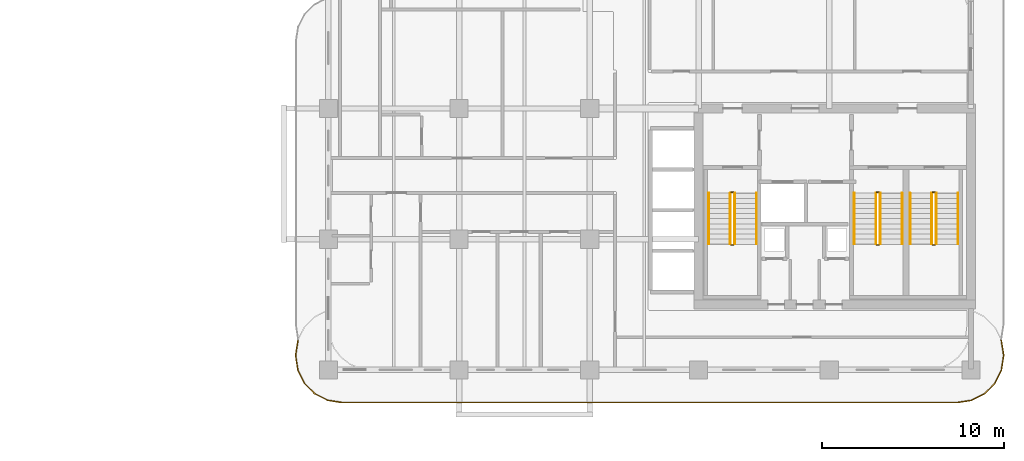
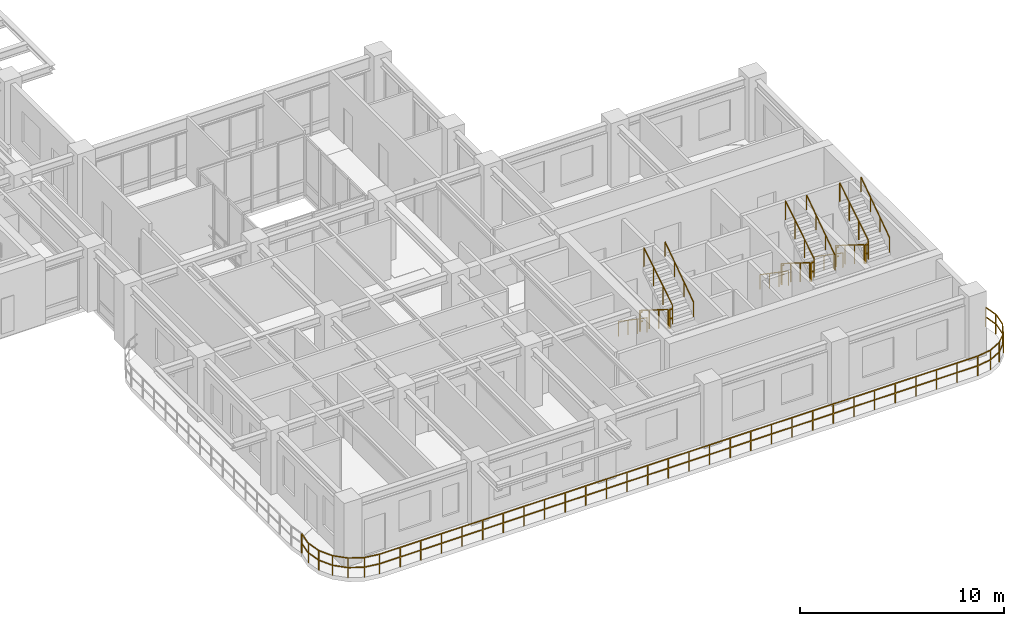
# One storey, part 18 of 20: 19 railings.
"""IFC4 building model written with IfcOpenShell, lengths in metres."""

from ifc_helpers import new_model, si_unit, derived_unit, direction, frame, origin, origin_2d, place, context, subcontext, project, spatial, rectangle, extrude, material, type_object, element, save


model = new_model("IFC4")

# Units and contexts
model_context = context("Model", 3, precision=1e-05, world=origin(), true_north=direction((0.0, 1.0)))
body_context = subcontext(model_context, "Body", "Model", "MODEL_VIEW")
ifc_project = project(units=[si_unit("LENGTHUNIT", "METRE"), si_unit("AREAUNIT", "SQUARE_METRE"), si_unit("VOLUMEUNIT", "CUBIC_METRE"), si_unit("PLANEANGLEUNIT", "RADIAN"), si_unit("MASSUNIT", "GRAM", prefix="KILO"), si_unit("THERMODYNAMICTEMPERATUREUNIT", "KELVIN"), si_unit("POWERUNIT", "WATT"), derived_unit("THERMALTRANSMITTANCEUNIT", [(si_unit("POWERUNIT", "WATT"), 1), (si_unit("AREAUNIT", "SQUARE_METRE"), -1), (si_unit("THERMODYNAMICTEMPERATUREUNIT", "KELVIN"), -1)])], contexts=[model_context])

# Site, building, storey
site_placement = place(None, origin())
site = spatial("IfcSite", under=ifc_project, at=site_placement, CompositionType="ELEMENT")
building_placement = place(site_placement, origin())
building = spatial("IfcBuilding", under=site, at=building_placement, Name="Zahravan Archway Hotel and Residences", CompositionType="ELEMENT")
storey_placement = place(building_placement, frame((0.0, 0.0, 173.39990234375)))
storey = spatial("IfcBuildingStorey", under=building, at=storey_placement, Name="L43", CompositionType="ELEMENT", Elevation=173.39990234375)

# Railings
ifc_material_1 = material(Name="Bronze & Laminated Glass Balustrade", Category="glass")
railing_type_1 = type_object("IfcRailingType", Name="RL-BAL-1200", PredefinedType="BALUSTRADE", material=ifc_material_1)
railing_1_placement = place(storey_placement, frame((51.47509765625, 1.637939453125, 0.0)))
element("IfcRailing", 1, at=railing_1_placement, inside=storey, type_object=railing_type_1, Name="L43 Balustrade RL-SLB-BAL-L43-SA-1", PredefinedType="BALUSTRADE", context=body_context, shape_type="SweptSolid", body=[
    extrude(rectangle(XDim=0.048095703125, YDim=0.048095703125, at=origin_2d()), frame((0.0, 0.0, 1.17578125), z_axis=(0.156701202656, -0.987646056584, 0.0), x_axis=(0.987646056584, 0.156701202656, 0.0)), (0.0, 0.0, 1.0), 0.797607421875),
    extrude(rectangle(XDim=0.048095703125, YDim=0.048095703125, at=origin_2d()), frame((0.0, 0.0, 0.60009765625), z_axis=(0.156701202656, -0.987646056584, 0.0), x_axis=(0.987646056584, 0.156701202656, 0.0)), (0.0, 0.0, 1.0), 0.797607421875),
    extrude(rectangle(XDim=0.048095703125, YDim=0.048095703125, at=origin_2d()), frame((0.125, -0.787841796875, 1.17578125), z_axis=(0.0, -1.0, 0.0), x_axis=(1.0, 0.0, 0.0)), (0.0, 0.0, 1.0), 0.10009765625),
    extrude(rectangle(XDim=0.048095703125, YDim=0.048095703125, at=origin_2d()), frame((0.125, -0.787841796875, 0.60009765625), z_axis=(0.0, -1.0, 0.0), x_axis=(1.0, 0.0, 0.0)), (0.0, 0.0, 1.0), 0.10009765625),
    extrude(rectangle(XDim=0.048095703125, YDim=0.048095703125, at=origin_2d()), frame((0.125, -0.887939453125, 1.17578125), z_axis=(-0.156653849773, -0.98765356849, 0.0), x_axis=(0.98765356849, -0.156653849773, 0.0)), (0.0, 0.0, 1.0), 0.7978515625),
    extrude(rectangle(XDim=0.048095703125, YDim=0.048095703125, at=origin_2d()), frame((0.125, -0.887939453125, 0.60009765625), z_axis=(-0.156653849773, -0.98765356849, 0.0), x_axis=(0.98765356849, -0.156653849773, 0.0)), (0.0, 0.0, 1.0), 0.7978515625),
    extrude(rectangle(XDim=0.048095703125, YDim=0.048095703125, at=origin_2d()), frame((0.0, -1.676025390625, 1.17578125), z_axis=(-0.453934952053, -0.891034824967, 0.0), x_axis=(0.891034824967, -0.453934952053, 0.0)), (0.0, 0.0, 1.0), 0.797607421875),
    extrude(rectangle(XDim=0.048095703125, YDim=0.048095703125, at=origin_2d()), frame((0.0, -1.676025390625, 0.60009765625), z_axis=(-0.453934952053, -0.891034824967, 0.0), x_axis=(0.891034824967, -0.453934952053, 0.0)), (0.0, 0.0, 1.0), 0.797607421875),
    extrude(rectangle(XDim=0.048095703125, YDim=0.048095703125, at=origin_2d()), frame((-0.362060546875, -2.38671875, 1.17578125), z_axis=(-0.707106781187, -0.707106781187, 0.0), x_axis=(0.707106781187, -0.707106781187, 0.0)), (0.0, 0.0, 1.0), 0.7978515625),
    extrude(rectangle(XDim=0.048095703125, YDim=0.048095703125, at=origin_2d()), frame((-0.362060546875, -2.38671875, 0.60009765625), z_axis=(-0.707106781187, -0.707106781187, 0.0), x_axis=(0.707106781187, -0.707106781187, 0.0)), (0.0, 0.0, 1.0), 0.7978515625),
    extrude(rectangle(XDim=0.048095703125, YDim=0.048095703125, at=origin_2d()), frame((-0.92626953125, -2.950927734375, 1.17578125), z_axis=(-0.890974108706, -0.454054113091, 0.0), x_axis=(0.454054113091, -0.890974108706, 0.0)), (0.0, 0.0, 1.0), 0.7978515625),
    extrude(rectangle(XDim=0.048095703125, YDim=0.048095703125, at=origin_2d()), frame((-0.92626953125, -2.950927734375, 0.60009765625), z_axis=(-0.890974108706, -0.454054113091, 0.0), x_axis=(0.454054113091, -0.890974108706, 0.0)), (0.0, 0.0, 1.0), 0.7978515625),
    extrude(rectangle(XDim=0.048095703125, YDim=0.048095703125, at=origin_2d()), frame((-1.63720703125, -3.313232421875, 1.17578125), z_axis=(-0.987693380745, -0.156402639467, 0.0), x_axis=(0.156402639467, -0.987693380745, 0.0)), (0.0, 0.0, 1.0), 0.797607421875),
    extrude(rectangle(XDim=0.048095703125, YDim=0.048095703125, at=origin_2d()), frame((-1.63720703125, -3.313232421875, 0.60009765625), z_axis=(-0.987693380745, -0.156402639467, 0.0), x_axis=(0.156402639467, -0.987693380745, 0.0)), (0.0, 0.0, 1.0), 0.797607421875),
    extrude(rectangle(XDim=0.048095703125, YDim=0.048095703125, at=origin_2d()), frame((-2.425048828125, -3.43798828125, 1.17578125), z_axis=(-1.0, 0.0, 0.0), x_axis=(0.0, -1.0, 0.0)), (0.0, 0.0, 1.0), 33.900146484375),
    extrude(rectangle(XDim=0.048095703125, YDim=0.048095703125, at=origin_2d()), frame((-2.425048828125, -3.43798828125, 0.60009765625), z_axis=(-1.0, 0.0, 0.0), x_axis=(0.0, -1.0, 0.0)), (0.0, 0.0, 1.0), 33.900146484375),
    extrude(rectangle(XDim=0.048095703125, YDim=0.048095703125, at=origin_2d()), frame((-36.3251953125, -3.43798828125, 1.17578125), z_axis=(-0.987693380745, 0.156402639467, 0.0), x_axis=(-0.156402639467, -0.987693380745, 0.0)), (0.0, 0.0, 1.0), 0.797607421875),
    extrude(rectangle(XDim=0.048095703125, YDim=0.048095703125, at=origin_2d()), frame((-36.3251953125, -3.43798828125, 0.60009765625), z_axis=(-0.987693380745, 0.156402639467, 0.0), x_axis=(-0.156402639467, -0.987693380745, 0.0)), (0.0, 0.0, 1.0), 0.797607421875),
    extrude(rectangle(XDim=0.048095703125, YDim=0.048095703125, at=origin_2d()), frame((-37.113037109375, -3.313232421875, 1.17578125), z_axis=(-0.890974108706, 0.454054113091, 0.0), x_axis=(-0.454054113091, -0.890974108706, 0.0)), (0.0, 0.0, 1.0), 0.7978515625),
    extrude(rectangle(XDim=0.048095703125, YDim=0.048095703125, at=origin_2d()), frame((-37.113037109375, -3.313232421875, 0.60009765625), z_axis=(-0.890974108706, 0.454054113091, 0.0), x_axis=(-0.454054113091, -0.890974108706, 0.0)), (0.0, 0.0, 1.0), 0.7978515625),
    extrude(rectangle(XDim=0.048095703125, YDim=0.048095703125, at=origin_2d()), frame((-37.823974609375, -2.950927734375, 1.17578125), z_axis=(-0.707106781187, 0.707106781187, 0.0), x_axis=(-0.707106781187, -0.707106781187, 0.0)), (0.0, 0.0, 1.0), 0.7978515625),
    extrude(rectangle(XDim=0.048095703125, YDim=0.048095703125, at=origin_2d()), frame((-37.823974609375, -2.950927734375, 0.60009765625), z_axis=(-0.707106781187, 0.707106781187, 0.0), x_axis=(-0.707106781187, -0.707106781187, 0.0)), (0.0, 0.0, 1.0), 0.7978515625),
    extrude(rectangle(XDim=0.048095703125, YDim=0.048095703125, at=origin_2d()), frame((-38.38818359375, -2.38671875, 1.17578125), z_axis=(-0.453934952053, 0.891034824967, 0.0), x_axis=(-0.891034824967, -0.453934952053, 0.0)), (0.0, 0.0, 1.0), 0.797607421875),
    extrude(rectangle(XDim=0.048095703125, YDim=0.048095703125, at=origin_2d()), frame((-38.38818359375, -2.38671875, 0.60009765625), z_axis=(-0.453934952053, 0.891034824967, 0.0), x_axis=(-0.891034824967, -0.453934952053, 0.0)), (0.0, 0.0, 1.0), 0.797607421875),
    extrude(rectangle(XDim=0.048095703125, YDim=0.048095703125, at=origin_2d()), frame((-38.750244140625, -1.676025390625, 1.17578125), z_axis=(-0.156355372278, 0.987700864412, 0.0), x_axis=(-0.987700864412, -0.156355372278, 0.0)), (0.0, 0.0, 1.0), 0.7978515625),
    extrude(rectangle(XDim=0.048095703125, YDim=0.048095703125, at=origin_2d()), frame((-38.750244140625, -1.676025390625, 0.60009765625), z_axis=(-0.156355372278, 0.987700864412, 0.0), x_axis=(-0.987700864412, -0.156355372278, 0.0)), (0.0, 0.0, 1.0), 0.7978515625),
    extrude(rectangle(XDim=0.048095703125, YDim=0.048095703125, at=origin_2d()), frame((-38.875, -0.887939453125, 1.17578125), z_axis=(0.0, 1.0, 0.0), x_axis=(-1.0, 0.0, 0.0)), (0.0, 0.0, 1.0), 0.10009765625),
    extrude(rectangle(XDim=0.048095703125, YDim=0.048095703125, at=origin_2d()), frame((-38.875, -0.887939453125, 0.60009765625), z_axis=(0.0, 1.0, 0.0), x_axis=(-1.0, 0.0, 0.0)), (0.0, 0.0, 1.0), 0.10009765625),
    extrude(rectangle(XDim=0.048095703125, YDim=0.048095703125, at=origin_2d()), frame((-38.875, -0.787841796875, 1.17578125), z_axis=(0.156402639467, 0.987693380745, 0.0), x_axis=(-0.987693380745, 0.156402639467, 0.0)), (0.0, 0.0, 1.0), 0.797607421875),
    extrude(rectangle(XDim=0.048095703125, YDim=0.048095703125, at=origin_2d()), frame((-38.875, -0.787841796875, 0.60009765625), z_axis=(0.156402639467, 0.987693380745, 0.0), x_axis=(-0.987693380745, 0.156402639467, 0.0)), (0.0, 0.0, 1.0), 0.797607421875),
    extrude(rectangle(XDim=0.0419921875, YDim=0.0419921875, at=origin_2d()), origin(), (0.0, 0.0, 1.0), 1.15185546875),
    extrude(rectangle(XDim=0.0419921875, YDim=0.0419921875, at=origin_2d()), frame((0.125, -0.787841796875, 0.0)), (0.0, 0.0, 1.0), 1.15185546875),
    extrude(rectangle(XDim=0.0419921875, YDim=0.0419921875, at=origin_2d()), frame((0.0, -1.676025390625, 0.0)), (0.0, 0.0, 1.0), 1.15185546875),
    extrude(rectangle(XDim=0.0419921875, YDim=0.0419921875, at=origin_2d()), frame((-0.362060546875, -2.38671875, 0.0)), (0.0, 0.0, 1.0), 1.15185546875),
    extrude(rectangle(XDim=0.0419921875, YDim=0.0419921875, at=origin_2d()), frame((-0.92626953125, -2.950927734375, 0.0)), (0.0, 0.0, 1.0), 1.15185546875),
    extrude(rectangle(XDim=0.0419921875, YDim=0.0419921875, at=origin_2d()), frame((-1.63720703125, -3.313232421875, 0.0)), (0.0, 0.0, 1.0), 1.15185546875),
    extrude(rectangle(XDim=0.0419921875, YDim=0.0419921875, at=origin_2d()), frame((-2.425048828125, -3.43798828125, 0.0)), (0.0, 0.0, 1.0), 1.15185546875),
    extrude(rectangle(XDim=0.0419921875, YDim=0.0419921875, at=origin_2d()), frame((-3.593994140625, -3.43798828125, 0.0)), (0.0, 0.0, 1.0), 1.15185546875),
    extrude(rectangle(XDim=0.0419921875, YDim=0.0419921875, at=origin_2d()), frame((-4.762939453125, -3.43798828125, 0.0)), (0.0, 0.0, 1.0), 1.15185546875),
    extrude(rectangle(XDim=0.0419921875, YDim=0.0419921875, at=origin_2d()), frame((-5.931884765625, -3.43798828125, 0.0)), (0.0, 0.0, 1.0), 1.15185546875),
    extrude(rectangle(XDim=0.0419921875, YDim=0.0419921875, at=origin_2d()), frame((-7.100830078125, -3.43798828125, 0.0)), (0.0, 0.0, 1.0), 1.15185546875),
    extrude(rectangle(XDim=0.0419921875, YDim=0.0419921875, at=origin_2d()), frame((-8.27001953125, -3.43798828125, 0.0)), (0.0, 0.0, 1.0), 1.15185546875),
    extrude(rectangle(XDim=0.0419921875, YDim=0.0419921875, at=origin_2d()), frame((-9.43896484375, -3.43798828125, 0.0)), (0.0, 0.0, 1.0), 1.15185546875),
    extrude(rectangle(XDim=0.0419921875, YDim=0.0419921875, at=origin_2d()), frame((-10.60791015625, -3.43798828125, 0.0)), (0.0, 0.0, 1.0), 1.15185546875),
    extrude(rectangle(XDim=0.0419921875, YDim=0.0419921875, at=origin_2d()), frame((-11.77685546875, -3.43798828125, 0.0)), (0.0, 0.0, 1.0), 1.15185546875),
    extrude(rectangle(XDim=0.0419921875, YDim=0.0419921875, at=origin_2d()), frame((-12.94580078125, -3.43798828125, 0.0)), (0.0, 0.0, 1.0), 1.15185546875),
    extrude(rectangle(XDim=0.0419921875, YDim=0.0419921875, at=origin_2d()), frame((-14.11474609375, -3.43798828125, 0.0)), (0.0, 0.0, 1.0), 1.15185546875),
    extrude(rectangle(XDim=0.0419921875, YDim=0.0419921875, at=origin_2d()), frame((-15.28369140625, -3.43798828125, 0.0)), (0.0, 0.0, 1.0), 1.15185546875),
    extrude(rectangle(XDim=0.0419921875, YDim=0.0419921875, at=origin_2d()), frame((-16.45263671875, -3.43798828125, 0.0)), (0.0, 0.0, 1.0), 1.15185546875),
    extrude(rectangle(XDim=0.0419921875, YDim=0.0419921875, at=origin_2d()), frame((-17.62158203125, -3.43798828125, 0.0)), (0.0, 0.0, 1.0), 1.15185546875),
    extrude(rectangle(XDim=0.0419921875, YDim=0.0419921875, at=origin_2d()), frame((-18.79052734375, -3.43798828125, 0.0)), (0.0, 0.0, 1.0), 1.15185546875),
    extrude(rectangle(XDim=0.0419921875, YDim=0.0419921875, at=origin_2d()), frame((-19.959716796875, -3.43798828125, 0.0)), (0.0, 0.0, 1.0), 1.15185546875),
    extrude(rectangle(XDim=0.0419921875, YDim=0.0419921875, at=origin_2d()), frame((-21.128662109375, -3.43798828125, 0.0)), (0.0, 0.0, 1.0), 1.15185546875),
    extrude(rectangle(XDim=0.0419921875, YDim=0.0419921875, at=origin_2d()), frame((-22.297607421875, -3.43798828125, 0.0)), (0.0, 0.0, 1.0), 1.15185546875),
    extrude(rectangle(XDim=0.0419921875, YDim=0.0419921875, at=origin_2d()), frame((-23.466552734375, -3.43798828125, 0.0)), (0.0, 0.0, 1.0), 1.15185546875),
    extrude(rectangle(XDim=0.0419921875, YDim=0.0419921875, at=origin_2d()), frame((-24.635498046875, -3.43798828125, 0.0)), (0.0, 0.0, 1.0), 1.15185546875),
    extrude(rectangle(XDim=0.0419921875, YDim=0.0419921875, at=origin_2d()), frame((-25.804443359375, -3.43798828125, 0.0)), (0.0, 0.0, 1.0), 1.15185546875),
    extrude(rectangle(XDim=0.0419921875, YDim=0.0419921875, at=origin_2d()), frame((-26.973388671875, -3.43798828125, 0.0)), (0.0, 0.0, 1.0), 1.15185546875),
    extrude(rectangle(XDim=0.0419921875, YDim=0.0419921875, at=origin_2d()), frame((-28.142333984375, -3.43798828125, 0.0)), (0.0, 0.0, 1.0), 1.15185546875),
    extrude(rectangle(XDim=0.0419921875, YDim=0.0419921875, at=origin_2d()), frame((-29.311279296875, -3.43798828125, 0.0)), (0.0, 0.0, 1.0), 1.15185546875),
    extrude(rectangle(XDim=0.0419921875, YDim=0.0419921875, at=origin_2d()), frame((-30.480224609375, -3.43798828125, 0.0)), (0.0, 0.0, 1.0), 1.15185546875),
    extrude(rectangle(XDim=0.0419921875, YDim=0.0419921875, at=origin_2d()), frame((-31.6494140625, -3.43798828125, 0.0)), (0.0, 0.0, 1.0), 1.15185546875),
    extrude(rectangle(XDim=0.0419921875, YDim=0.0419921875, at=origin_2d()), frame((-32.818359375, -3.43798828125, 0.0)), (0.0, 0.0, 1.0), 1.15185546875),
    extrude(rectangle(XDim=0.0419921875, YDim=0.0419921875, at=origin_2d()), frame((-33.9873046875, -3.43798828125, 0.0)), (0.0, 0.0, 1.0), 1.15185546875),
    extrude(rectangle(XDim=0.0419921875, YDim=0.0419921875, at=origin_2d()), frame((-35.15625, -3.43798828125, 0.0)), (0.0, 0.0, 1.0), 1.15185546875),
    extrude(rectangle(XDim=0.0419921875, YDim=0.0419921875, at=origin_2d()), frame((-36.3251953125, -3.43798828125, 0.0)), (0.0, 0.0, 1.0), 1.15185546875),
    extrude(rectangle(XDim=0.0419921875, YDim=0.0419921875, at=origin_2d()), frame((-37.113037109375, -3.313232421875, 0.0)), (0.0, 0.0, 1.0), 1.15185546875),
    extrude(rectangle(XDim=0.0419921875, YDim=0.0419921875, at=origin_2d()), frame((-37.823974609375, -2.950927734375, 0.0)), (0.0, 0.0, 1.0), 1.15185546875),
    extrude(rectangle(XDim=0.0419921875, YDim=0.0419921875, at=origin_2d()), frame((-38.38818359375, -2.38671875, 0.0)), (0.0, 0.0, 1.0), 1.15185546875),
    extrude(rectangle(XDim=0.0419921875, YDim=0.0419921875, at=origin_2d()), frame((-38.750244140625, -1.676025390625, 0.0)), (0.0, 0.0, 1.0), 1.15185546875),
    extrude(rectangle(XDim=0.0419921875, YDim=0.0419921875, at=origin_2d()), frame((-38.875, -0.887939453125, 0.0)), (0.0, 0.0, 1.0), 1.15185546875),
    extrude(rectangle(XDim=0.0419921875, YDim=0.0419921875, at=origin_2d()), frame((-38.750244140625, 0.0, 0.0)), (0.0, 0.0, 1.0), 1.15185546875),
])
ifc_material_2 = material(Name="Painted Tubular Steel", Category="steel")
railing_type_2 = type_object("IfcRailingType", Name="RL-STG-1150", PredefinedType="GUARDRAIL", material=ifc_material_2)
railing_2_placement = place(storey_placement, frame((36.550048828125, 9.72998046875, 0.175048828125)))
element("IfcRailing", 2, at=railing_2_placement, inside=storey, type_object=railing_type_2, Name="L43 ST-A1 stair guard 1", PredefinedType="GUARDRAIL", context=body_context, shape_type="SweptSolid", body=[
    extrude(rectangle(XDim=0.048095703125, YDim=0.048095703125, at=origin_2d()), frame((0.0, 0.0, 1.1259765625), z_axis=(0.0, -0.848002457836, 0.529992293815), x_axis=(1.0, 0.0, 0.0)), (0.0, 0.0, 1.0), 3.302001953125),
    extrude(rectangle(XDim=0.0419921875, YDim=0.0419921875, at=origin_2d()), origin(), (0.0, 0.0, 1.0), 1.101806640625),
    extrude(rectangle(XDim=0.0419921875, YDim=0.0419921875, at=origin_2d()), frame((0.0, -0.933349609375, 0.583251953125)), (0.0, 0.0, 1.0), 1.101806640625),
    extrude(rectangle(XDim=0.0419921875, YDim=0.0419921875, at=origin_2d()), frame((0.0, -1.86669921875, 1.166748046875)), (0.0, 0.0, 1.0), 1.101806640625),
    extrude(rectangle(XDim=0.0419921875, YDim=0.0419921875, at=origin_2d()), frame((0.0, -2.800048828125, 1.75)), (0.0, 0.0, 1.0), 1.101806640625),
])
railing_3_placement = place(storey_placement, frame((36.60009765625, 6.8798828125, 1.925048828125)))
element("IfcRailing", 3, at=railing_3_placement, inside=storey, type_object=railing_type_2, Name="L43 ST-A1 stair guard 2", PredefinedType="GUARDRAIL", context=body_context, shape_type="SweptSolid", body=[
    extrude(rectangle(XDim=0.048095703125, YDim=0.048095703125, at=origin_2d()), frame((0.0, 0.0, 1.1259765625), z_axis=(1.0, 0.0, 0.0), x_axis=(0.0, 1.0, 0.0)), (0.0, 0.0, 1.0), 0.139892578125),
    extrude(rectangle(XDim=0.048095703125, YDim=0.048095703125, at=origin_2d()), frame((0.0, 0.0, 0.574951171875), z_axis=(1.0, 0.0, 0.0), x_axis=(0.0, 1.0, 0.0)), (0.0, 0.0, 1.0), 0.139892578125),
    extrude(rectangle(XDim=0.0419921875, YDim=0.0419921875, at=origin_2d()), origin(), (0.0, 0.0, 1.0), 1.101806640625),
])
railing_4_placement = place(storey_placement, frame((36.7900390625, 6.929931640625, 2.10009765625)))
element("IfcRailing", 4, at=railing_4_placement, inside=storey, type_object=railing_type_2, Name="L43 ST-A1 stair guard 3", PredefinedType="GUARDRAIL", context=body_context, shape_type="SweptSolid", body=[
    extrude(rectangle(XDim=0.048095703125, YDim=0.048095703125, at=origin_2d()), frame((0.0, 0.0, 1.1259765625), z_axis=(0.0, 0.848002457836, 0.529992293815), x_axis=(-1.0, 0.0, 0.0)), (0.0, 0.0, 1.0), 3.302001953125),
    extrude(rectangle(XDim=0.0419921875, YDim=0.0419921875, at=origin_2d()), origin(), (0.0, 0.0, 1.0), 1.101806640625),
    extrude(rectangle(XDim=0.0419921875, YDim=0.0419921875, at=origin_2d()), frame((0.0, 0.933349609375, 0.583251953125)), (0.0, 0.0, 1.0), 1.101806640625),
    extrude(rectangle(XDim=0.0419921875, YDim=0.0419921875, at=origin_2d()), frame((0.0, 1.86669921875, 1.166748046875)), (0.0, 0.0, 1.0), 1.101806640625),
    extrude(rectangle(XDim=0.0419921875, YDim=0.0419921875, at=origin_2d()), frame((0.0, 2.800048828125, 1.75)), (0.0, 0.0, 1.0), 1.101806640625),
])
railing_5_placement = place(storey_placement, frame((36.60009765625, 9.780029296875, 0.0)))
element("IfcRailing", 5, at=railing_5_placement, inside=storey, type_object=railing_type_2, Name="L43 ST-A1 stair guard 4", PredefinedType="GUARDRAIL", context=body_context, shape_type="SweptSolid", body=[
    extrude(rectangle(XDim=0.048095703125, YDim=0.048095703125, at=origin_2d()), frame((0.0, 0.0, 1.1259765625), z_axis=(1.0, 0.0, 0.0), x_axis=(0.0, 1.0, 0.0)), (0.0, 0.0, 1.0), 0.139892578125),
    extrude(rectangle(XDim=0.048095703125, YDim=0.048095703125, at=origin_2d()), frame((0.0, 0.0, 0.574951171875), z_axis=(1.0, 0.0, 0.0), x_axis=(0.0, 1.0, 0.0)), (0.0, 0.0, 1.0), 0.139892578125),
    extrude(rectangle(XDim=0.0419921875, YDim=0.0419921875, at=origin_2d()), origin(), (0.0, 0.0, 1.0), 1.101806640625),
])
railing_6_placement = place(storey_placement, frame((44.570068359375, 9.72998046875, 0.175048828125)))
element("IfcRailing", 6, at=railing_6_placement, inside=storey, type_object=railing_type_2, Name="L43 ST-A2 stair guard 1", PredefinedType="GUARDRAIL", context=body_context, shape_type="SweptSolid", body=[
    extrude(rectangle(XDim=0.048095703125, YDim=0.048095703125, at=origin_2d()), frame((0.0, 0.0, 1.1259765625), z_axis=(0.0, -0.848002457836, 0.529992293815), x_axis=(1.0, 0.0, 0.0)), (0.0, 0.0, 1.0), 3.302001953125),
    extrude(rectangle(XDim=0.0419921875, YDim=0.0419921875, at=origin_2d()), origin(), (0.0, 0.0, 1.0), 1.101806640625),
    extrude(rectangle(XDim=0.0419921875, YDim=0.0419921875, at=origin_2d()), frame((0.0, -0.933349609375, 0.583251953125)), (0.0, 0.0, 1.0), 1.101806640625),
    extrude(rectangle(XDim=0.0419921875, YDim=0.0419921875, at=origin_2d()), frame((0.0, -1.86669921875, 1.166748046875)), (0.0, 0.0, 1.0), 1.101806640625),
    extrude(rectangle(XDim=0.0419921875, YDim=0.0419921875, at=origin_2d()), frame((0.0, -2.800048828125, 1.75)), (0.0, 0.0, 1.0), 1.101806640625),
])
railing_7_placement = place(storey_placement, frame((44.6201171875, 6.8798828125, 1.925048828125)))
element("IfcRailing", 7, at=railing_7_placement, inside=storey, type_object=railing_type_2, Name="L43 ST-A2 stair guard 2", PredefinedType="GUARDRAIL", context=body_context, shape_type="SweptSolid", body=[
    extrude(rectangle(XDim=0.048095703125, YDim=0.048095703125, at=origin_2d()), frame((0.0, 0.0, 1.1259765625), z_axis=(1.0, 0.0, 0.0), x_axis=(0.0, 1.0, 0.0)), (0.0, 0.0, 1.0), 0.139892578125),
    extrude(rectangle(XDim=0.048095703125, YDim=0.048095703125, at=origin_2d()), frame((0.0, 0.0, 0.574951171875), z_axis=(1.0, 0.0, 0.0), x_axis=(0.0, 1.0, 0.0)), (0.0, 0.0, 1.0), 0.139892578125),
    extrude(rectangle(XDim=0.0419921875, YDim=0.0419921875, at=origin_2d()), origin(), (0.0, 0.0, 1.0), 1.101806640625),
])
railing_8_placement = place(storey_placement, frame((44.81005859375, 6.929931640625, 2.10009765625)))
element("IfcRailing", 8, at=railing_8_placement, inside=storey, type_object=railing_type_2, Name="L43 ST-A2 stair guard 3", PredefinedType="GUARDRAIL", context=body_context, shape_type="SweptSolid", body=[
    extrude(rectangle(XDim=0.048095703125, YDim=0.048095703125, at=origin_2d()), frame((0.0, 0.0, 1.1259765625), z_axis=(0.0, 0.848002457836, 0.529992293815), x_axis=(-1.0, 0.0, 0.0)), (0.0, 0.0, 1.0), 3.302001953125),
    extrude(rectangle(XDim=0.0419921875, YDim=0.0419921875, at=origin_2d()), origin(), (0.0, 0.0, 1.0), 1.101806640625),
    extrude(rectangle(XDim=0.0419921875, YDim=0.0419921875, at=origin_2d()), frame((0.0, 0.933349609375, 0.583251953125)), (0.0, 0.0, 1.0), 1.101806640625),
    extrude(rectangle(XDim=0.0419921875, YDim=0.0419921875, at=origin_2d()), frame((0.0, 1.86669921875, 1.166748046875)), (0.0, 0.0, 1.0), 1.101806640625),
    extrude(rectangle(XDim=0.0419921875, YDim=0.0419921875, at=origin_2d()), frame((0.0, 2.800048828125, 1.75)), (0.0, 0.0, 1.0), 1.101806640625),
])
railing_9_placement = place(storey_placement, frame((44.6201171875, 9.780029296875, 0.0)))
element("IfcRailing", 9, at=railing_9_placement, inside=storey, type_object=railing_type_2, Name="L43 ST-A2 stair guard 4", PredefinedType="GUARDRAIL", context=body_context, shape_type="SweptSolid", body=[
    extrude(rectangle(XDim=0.048095703125, YDim=0.048095703125, at=origin_2d()), frame((0.0, 0.0, 1.1259765625), z_axis=(1.0, 0.0, 0.0), x_axis=(0.0, 1.0, 0.0)), (0.0, 0.0, 1.0), 0.139892578125),
    extrude(rectangle(XDim=0.048095703125, YDim=0.048095703125, at=origin_2d()), frame((0.0, 0.0, 0.574951171875), z_axis=(1.0, 0.0, 0.0), x_axis=(0.0, 1.0, 0.0)), (0.0, 0.0, 1.0), 0.139892578125),
    extrude(rectangle(XDim=0.0419921875, YDim=0.0419921875, at=origin_2d()), origin(), (0.0, 0.0, 1.0), 1.101806640625),
])
railing_10_placement = place(storey_placement, frame((47.64990234375, 9.72998046875, 0.175048828125)))
element("IfcRailing", 10, at=railing_10_placement, inside=storey, type_object=railing_type_2, Name="L43 ST-A3 stair guard 1", PredefinedType="GUARDRAIL", context=body_context, shape_type="SweptSolid", body=[
    extrude(rectangle(XDim=0.048095703125, YDim=0.048095703125, at=origin_2d()), frame((0.0, 0.0, 1.1259765625), z_axis=(0.0, -0.848002457836, 0.529992293815), x_axis=(1.0, 0.0, 0.0)), (0.0, 0.0, 1.0), 3.302001953125),
    extrude(rectangle(XDim=0.0419921875, YDim=0.0419921875, at=origin_2d()), origin(), (0.0, 0.0, 1.0), 1.101806640625),
    extrude(rectangle(XDim=0.0419921875, YDim=0.0419921875, at=origin_2d()), frame((0.0, -0.933349609375, 0.583251953125)), (0.0, 0.0, 1.0), 1.101806640625),
    extrude(rectangle(XDim=0.0419921875, YDim=0.0419921875, at=origin_2d()), frame((0.0, -1.86669921875, 1.166748046875)), (0.0, 0.0, 1.0), 1.101806640625),
    extrude(rectangle(XDim=0.0419921875, YDim=0.0419921875, at=origin_2d()), frame((0.0, -2.800048828125, 1.75)), (0.0, 0.0, 1.0), 1.101806640625),
])
railing_11_placement = place(storey_placement, frame((47.699951171875, 6.8798828125, 1.925048828125)))
element("IfcRailing", 11, at=railing_11_placement, inside=storey, type_object=railing_type_2, Name="L43 ST-A3 stair guard 2", PredefinedType="GUARDRAIL", context=body_context, shape_type="SweptSolid", body=[
    extrude(rectangle(XDim=0.048095703125, YDim=0.048095703125, at=origin_2d()), frame((0.0, 0.0, 1.1259765625), z_axis=(1.0, 0.0, 0.0), x_axis=(0.0, 1.0, 0.0)), (0.0, 0.0, 1.0), 0.14013671875),
    extrude(rectangle(XDim=0.048095703125, YDim=0.048095703125, at=origin_2d()), frame((0.0, 0.0, 0.574951171875), z_axis=(1.0, 0.0, 0.0), x_axis=(0.0, 1.0, 0.0)), (0.0, 0.0, 1.0), 0.14013671875),
    extrude(rectangle(XDim=0.0419921875, YDim=0.0419921875, at=origin_2d()), origin(), (0.0, 0.0, 1.0), 1.101806640625),
])
railing_12_placement = place(storey_placement, frame((47.889892578125, 6.929931640625, 2.10009765625)))
element("IfcRailing", 12, at=railing_12_placement, inside=storey, type_object=railing_type_2, Name="L43 ST-A3 stair guard 3", PredefinedType="GUARDRAIL", context=body_context, shape_type="SweptSolid", body=[
    extrude(rectangle(XDim=0.048095703125, YDim=0.048095703125, at=origin_2d()), frame((0.0, 0.0, 1.1259765625), z_axis=(0.0, 0.848002457836, 0.529992293815), x_axis=(-1.0, 0.0, 0.0)), (0.0, 0.0, 1.0), 3.302001953125),
    extrude(rectangle(XDim=0.0419921875, YDim=0.0419921875, at=origin_2d()), origin(), (0.0, 0.0, 1.0), 1.101806640625),
    extrude(rectangle(XDim=0.0419921875, YDim=0.0419921875, at=origin_2d()), frame((0.0, 0.933349609375, 0.583251953125)), (0.0, 0.0, 1.0), 1.101806640625),
    extrude(rectangle(XDim=0.0419921875, YDim=0.0419921875, at=origin_2d()), frame((0.0, 1.86669921875, 1.166748046875)), (0.0, 0.0, 1.0), 1.101806640625),
    extrude(rectangle(XDim=0.0419921875, YDim=0.0419921875, at=origin_2d()), frame((0.0, 2.800048828125, 1.75)), (0.0, 0.0, 1.0), 1.101806640625),
])
railing_13_placement = place(storey_placement, frame((47.699951171875, 9.780029296875, 0.0)))
element("IfcRailing", 13, at=railing_13_placement, inside=storey, type_object=railing_type_2, Name="L43 ST-A3 stair guard 4", PredefinedType="GUARDRAIL", context=body_context, shape_type="SweptSolid", body=[
    extrude(rectangle(XDim=0.048095703125, YDim=0.048095703125, at=origin_2d()), frame((0.0, 0.0, 1.1259765625), z_axis=(1.0, 0.0, 0.0), x_axis=(0.0, 1.0, 0.0)), (0.0, 0.0, 1.0), 0.14013671875),
    extrude(rectangle(XDim=0.048095703125, YDim=0.048095703125, at=origin_2d()), frame((0.0, 0.0, 0.574951171875), z_axis=(1.0, 0.0, 0.0), x_axis=(0.0, 1.0, 0.0)), (0.0, 0.0, 1.0), 0.14013671875),
    extrude(rectangle(XDim=0.0419921875, YDim=0.0419921875, at=origin_2d()), origin(), (0.0, 0.0, 1.0), 1.101806640625),
])
ifc_material_3 = material(Name="Brushed Stainless Steel", Category="steel")
railing_type_3 = type_object("IfcRailingType", Name="RL-STH-900", PredefinedType="HANDRAIL", material=ifc_material_3)
railing_14_placement = place(storey_placement, frame((35.35009765625, 9.72998046875, 0.175048828125)))
element("IfcRailing", 14, at=railing_14_placement, inside=storey, type_object=railing_type_3, Name="L43 ST-A1 stair handrail 1", PredefinedType="HANDRAIL", context=body_context, shape_type="SweptSolid", body=[
    extrude(rectangle(XDim=0.048095703125, YDim=0.048095703125, at=origin_2d()), frame((0.0, 0.0, 0.8759765625), z_axis=(0.0, -0.824039827795, 0.566531872191), x_axis=(1.0, 0.0, 0.0)), (0.0, 0.0, 1.0), 3.39794921875),
    extrude(rectangle(XDim=0.0419921875, YDim=0.0419921875, at=origin_2d()), origin(), (0.0, 0.0, 1.0), 0.851806640625),
    extrude(rectangle(XDim=0.0419921875, YDim=0.0419921875, at=origin_2d()), frame((0.0, -0.933349609375, 0.6416015625)), (0.0, 0.0, 1.0), 0.851806640625),
    extrude(rectangle(XDim=0.0419921875, YDim=0.0419921875, at=origin_2d()), frame((0.0, -1.86669921875, 1.283447265625)), (0.0, 0.0, 1.0), 0.851806640625),
    extrude(rectangle(XDim=0.0419921875, YDim=0.0419921875, at=origin_2d()), frame((0.0, -2.800048828125, 1.925048828125)), (0.0, 0.0, 1.0), 0.851806640625),
])
railing_15_placement = place(storey_placement, frame((37.989990234375, 6.929931640625, 2.10009765625)))
element("IfcRailing", 15, at=railing_15_placement, inside=storey, type_object=railing_type_3, Name="L43 ST-A1 stair handrail 2", PredefinedType="HANDRAIL", context=body_context, shape_type="SweptSolid", body=[
    extrude(rectangle(XDim=0.048095703125, YDim=0.048095703125, at=origin_2d()), frame((0.0, 0.0, 0.8759765625), z_axis=(0.0, 0.824039827795, 0.566531872191), x_axis=(-1.0, 0.0, 0.0)), (0.0, 0.0, 1.0), 3.39794921875),
    extrude(rectangle(XDim=0.0419921875, YDim=0.0419921875, at=origin_2d()), origin(), (0.0, 0.0, 1.0), 0.851806640625),
    extrude(rectangle(XDim=0.0419921875, YDim=0.0419921875, at=origin_2d()), frame((0.0, 0.933349609375, 0.6416015625)), (0.0, 0.0, 1.0), 0.851806640625),
    extrude(rectangle(XDim=0.0419921875, YDim=0.0419921875, at=origin_2d()), frame((0.0, 1.86669921875, 1.283447265625)), (0.0, 0.0, 1.0), 0.851806640625),
    extrude(rectangle(XDim=0.0419921875, YDim=0.0419921875, at=origin_2d()), frame((0.0, 2.800048828125, 1.925048828125)), (0.0, 0.0, 1.0), 0.851806640625),
])
railing_16_placement = place(storey_placement, frame((43.3701171875, 9.72998046875, 0.175048828125)))
element("IfcRailing", 16, at=railing_16_placement, inside=storey, type_object=railing_type_3, Name="L43 ST-A2 stair handrail 1", PredefinedType="HANDRAIL", context=body_context, shape_type="SweptSolid", body=[
    extrude(rectangle(XDim=0.048095703125, YDim=0.048095703125, at=origin_2d()), frame((0.0, 0.0, 0.8759765625), z_axis=(0.0, -0.824039827795, 0.566531872191), x_axis=(1.0, 0.0, 0.0)), (0.0, 0.0, 1.0), 3.39794921875),
    extrude(rectangle(XDim=0.0419921875, YDim=0.0419921875, at=origin_2d()), origin(), (0.0, 0.0, 1.0), 0.851806640625),
    extrude(rectangle(XDim=0.0419921875, YDim=0.0419921875, at=origin_2d()), frame((0.0, -0.933349609375, 0.6416015625)), (0.0, 0.0, 1.0), 0.851806640625),
    extrude(rectangle(XDim=0.0419921875, YDim=0.0419921875, at=origin_2d()), frame((0.0, -1.86669921875, 1.283447265625)), (0.0, 0.0, 1.0), 0.851806640625),
    extrude(rectangle(XDim=0.0419921875, YDim=0.0419921875, at=origin_2d()), frame((0.0, -2.800048828125, 1.925048828125)), (0.0, 0.0, 1.0), 0.851806640625),
])
railing_17_placement = place(storey_placement, frame((46.010009765625, 6.929931640625, 2.10009765625)))
element("IfcRailing", 17, at=railing_17_placement, inside=storey, type_object=railing_type_3, Name="L43 ST-A2 stair handrail 2", PredefinedType="HANDRAIL", context=body_context, shape_type="SweptSolid", body=[
    extrude(rectangle(XDim=0.048095703125, YDim=0.048095703125, at=origin_2d()), frame((0.0, 0.0, 0.8759765625), z_axis=(0.0, 0.824039827795, 0.566531872191), x_axis=(-1.0, 0.0, 0.0)), (0.0, 0.0, 1.0), 3.39794921875),
    extrude(rectangle(XDim=0.0419921875, YDim=0.0419921875, at=origin_2d()), origin(), (0.0, 0.0, 1.0), 0.851806640625),
    extrude(rectangle(XDim=0.0419921875, YDim=0.0419921875, at=origin_2d()), frame((0.0, 0.933349609375, 0.6416015625)), (0.0, 0.0, 1.0), 0.851806640625),
    extrude(rectangle(XDim=0.0419921875, YDim=0.0419921875, at=origin_2d()), frame((0.0, 1.86669921875, 1.283447265625)), (0.0, 0.0, 1.0), 0.851806640625),
    extrude(rectangle(XDim=0.0419921875, YDim=0.0419921875, at=origin_2d()), frame((0.0, 2.800048828125, 1.925048828125)), (0.0, 0.0, 1.0), 0.851806640625),
])
railing_18_placement = place(storey_placement, frame((46.449951171875, 9.72998046875, 0.175048828125)))
element("IfcRailing", 18, at=railing_18_placement, inside=storey, type_object=railing_type_3, Name="L43 ST-A3 stair handrail 1", PredefinedType="HANDRAIL", context=body_context, shape_type="SweptSolid", body=[
    extrude(rectangle(XDim=0.048095703125, YDim=0.048095703125, at=origin_2d()), frame((0.0, 0.0, 0.8759765625), z_axis=(0.0, -0.824039827795, 0.566531872191), x_axis=(1.0, 0.0, 0.0)), (0.0, 0.0, 1.0), 3.39794921875),
    extrude(rectangle(XDim=0.0419921875, YDim=0.0419921875, at=origin_2d()), origin(), (0.0, 0.0, 1.0), 0.851806640625),
    extrude(rectangle(XDim=0.0419921875, YDim=0.0419921875, at=origin_2d()), frame((0.0, -0.933349609375, 0.6416015625)), (0.0, 0.0, 1.0), 0.851806640625),
    extrude(rectangle(XDim=0.0419921875, YDim=0.0419921875, at=origin_2d()), frame((0.0, -1.86669921875, 1.283447265625)), (0.0, 0.0, 1.0), 0.851806640625),
    extrude(rectangle(XDim=0.0419921875, YDim=0.0419921875, at=origin_2d()), frame((0.0, -2.800048828125, 1.925048828125)), (0.0, 0.0, 1.0), 0.851806640625),
])
railing_19_placement = place(storey_placement, frame((49.090087890625, 6.929931640625, 2.10009765625)))
element("IfcRailing", 19, at=railing_19_placement, inside=storey, type_object=railing_type_3, Name="L43 ST-A3 stair handrail 2", PredefinedType="HANDRAIL", context=body_context, shape_type="SweptSolid", body=[
    extrude(rectangle(XDim=0.048095703125, YDim=0.048095703125, at=origin_2d()), frame((0.0, 0.0, 0.8759765625), z_axis=(0.0, 0.824039827795, 0.566531872191), x_axis=(-1.0, 0.0, 0.0)), (0.0, 0.0, 1.0), 3.39794921875),
    extrude(rectangle(XDim=0.0419921875, YDim=0.0419921875, at=origin_2d()), origin(), (0.0, 0.0, 1.0), 0.851806640625),
    extrude(rectangle(XDim=0.0419921875, YDim=0.0419921875, at=origin_2d()), frame((0.0, 0.933349609375, 0.6416015625)), (0.0, 0.0, 1.0), 0.851806640625),
    extrude(rectangle(XDim=0.0419921875, YDim=0.0419921875, at=origin_2d()), frame((0.0, 1.86669921875, 1.283447265625)), (0.0, 0.0, 1.0), 0.851806640625),
    extrude(rectangle(XDim=0.0419921875, YDim=0.0419921875, at=origin_2d()), frame((0.0, 2.800048828125, 1.925048828125)), (0.0, 0.0, 1.0), 0.851806640625),
])

save(model, "model.ifc")
